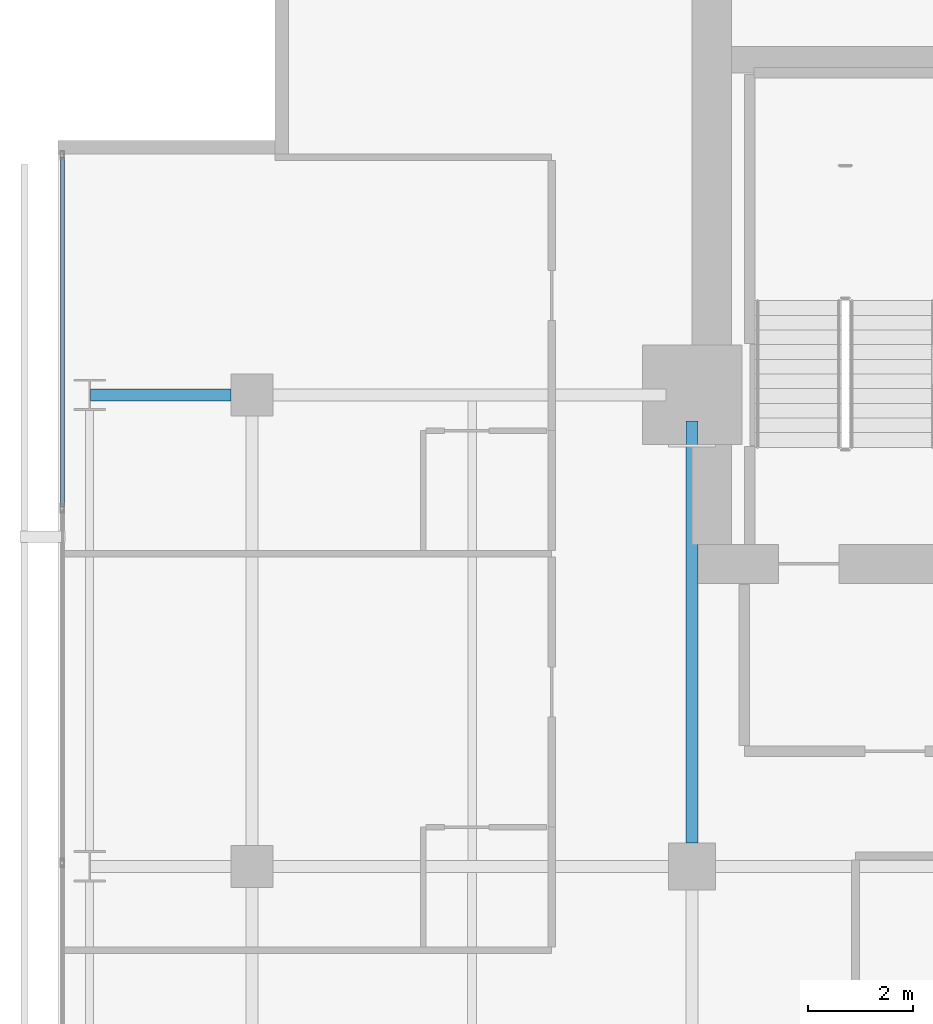
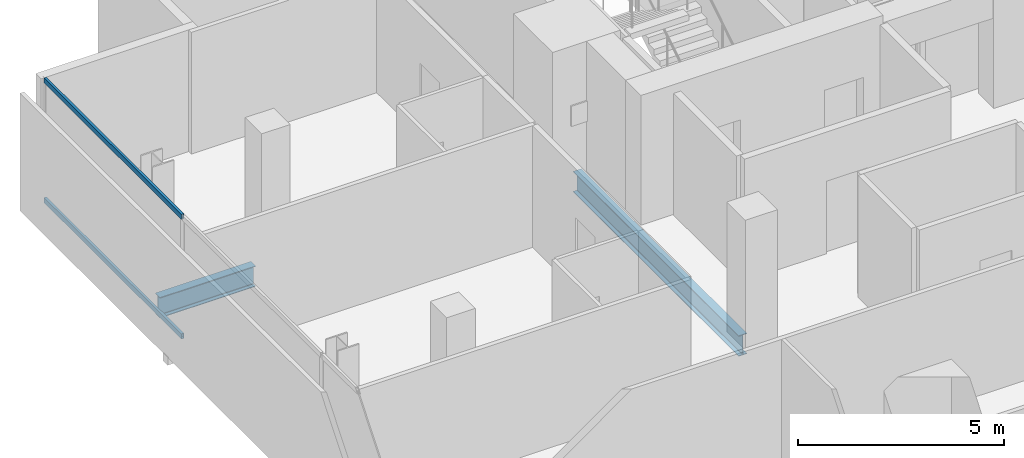
# One storey, part 19 of 34: 2 beams, 2 members, 1 element without a shape of its own.
"""IFC4 building model written with IfcOpenShell, lengths in metres."""

import ifcopenshell
import ifcopenshell.guid

model = None  # the IFC model being written
_history = None  # IfcOwnerHistory: only IFC2X3 demands one
_inside = {}  # id of a spatial element -> (the spatial element, [elements in it])
_under = {}  # id of a project, library or spatial element -> (it, [spatial elements below it])
_declared = {}  # id of a project -> (the project, [libraries it declares])
_typed = {}  # id of a type object -> (the type object, [elements of that type])
_made_of = {}  # id of a material, layer set ... -> (it, [elements and type objects made of it])


def new_model(schema):
    """Start an empty IFC model of exactly this schema.

    Asked for "IFC4X3", IfcOpenShell would pick the latest addendum, in which some entities
    have other attributes; the version numbers below select the first issue.
    IFC2X3 requires an IfcOwnerHistory on every rooted entity: one is made here for all.
    """
    global model, _history
    if schema == "IFC4X3":
        model = ifcopenshell.file(schema_version=(4, 3, 0, 0))
    else:
        model = ifcopenshell.file(schema=schema)
    _inside.clear()
    _under.clear()
    _declared.clear()
    _typed.clear()
    _made_of.clear()
    _history = None
    if model.schema == "IFC2X3":
        org = make("IfcOrganization", Name="unknown")
        user = make(
            "IfcPersonAndOrganization",
            ThePerson=make("IfcPerson", FamilyName="unknown"),
            TheOrganization=org,
        )
        app = make(
            "IfcApplication",
            ApplicationDeveloper=org,
            Version="unknown",
            ApplicationFullName="unknown",
            ApplicationIdentifier="unknown",
        )
        _history = make(
            "IfcOwnerHistory",
            OwningUser=user,
            OwningApplication=app,
            ChangeAction="ADDED",
            CreationDate=0,
        )
    return model


def make(cls, **values):
    """One entity of the class cls with the attributes given. An attribute that is None is left unset."""
    return model.create_entity(
        cls, **{name: value for name, value in values.items() if value is not None}
    )


def rooted(cls, **values):
    """An entity with a GlobalId (a new one), such as an element, a storey or a relation."""
    return make(cls, GlobalId=ifcopenshell.guid.new(), OwnerHistory=_history, **values)


def si_unit(unit_type, name, prefix=None):
    """IfcSIUnit, for example si_unit("LENGTHUNIT", "METRE", prefix="MILLI")."""
    return make("IfcSIUnit", UnitType=unit_type, Prefix=prefix, Name=name)


def assignment(units):
    """IfcUnitAssignment: the units of a project."""
    return None if units is None else make("IfcUnitAssignment", Units=units)


def point(xyz):
    """IfcCartesianPoint."""
    return None if xyz is None else make("IfcCartesianPoint", Coordinates=xyz)


def direction(xyz):
    """IfcDirection."""
    return None if xyz is None else make("IfcDirection", DirectionRatios=xyz)


def frame(location, z_axis=None, x_axis=None):
    """IfcAxis2Placement3D, a coordinate frame: its origin and axes. An axis left out is left unset."""
    return make(
        "IfcAxis2Placement3D",
        Location=point(location),
        Axis=direction(z_axis),
        RefDirection=direction(x_axis),
    )


def frame_2d(location, x_axis=None):
    """IfcAxis2Placement2D, a coordinate frame in the plane: its origin and x axis."""
    return make(
        "IfcAxis2Placement2D", Location=point(location), RefDirection=direction(x_axis)
    )


def origin():
    """The frame at (0, 0, 0) with its axes left unset."""
    return frame((0.0, 0.0, 0.0))


def origin_2d():
    """The frame at (0, 0) in the plane with its x axis left unset."""
    return frame_2d((0.0, 0.0))


def place(relative_to, where):
    """IfcLocalPlacement: puts the frame where relative to a parent placement (None: the world)."""
    return make(
        "IfcLocalPlacement", PlacementRelTo=relative_to, RelativePlacement=where
    )


def context(
    kind, dimensions, precision=None, world=None, true_north=None, identifier=None
):
    """IfcGeometricRepresentationContext, for example the 3D "Model" context."""
    return make(
        "IfcGeometricRepresentationContext",
        ContextIdentifier=identifier,
        ContextType=kind,
        CoordinateSpaceDimension=dimensions,
        Precision=precision,
        WorldCoordinateSystem=world,
        TrueNorth=true_north,
    )


def subcontext(parent, identifier, kind, view, scale=None):
    """IfcGeometricRepresentationSubContext, for example "Body" below "Model"."""
    return make(
        "IfcGeometricRepresentationSubContext",
        ContextIdentifier=identifier,
        ContextType=kind,
        ParentContext=parent,
        TargetScale=scale,
        TargetView=view,
    )


def project(units=None, contexts=None):
    """IfcProject with its units and contexts."""
    return rooted(
        "IfcProject",
        Name="project",
        RepresentationContexts=contexts,
        UnitsInContext=assignment(units),
    )


def spatial(cls, under=None, at=None, **own):
    """A site, building, storey or space (cls), placed at a placement, below another one or the project."""
    s = rooted(cls, ObjectPlacement=at, **own)
    if under is not None:
        _under.setdefault(under.id(), (under, []))[1].append(s)
    return s


def profile(cls, at=None, kind="AREA", **sizes):
    """A parametric profile (cls). Its sizes go by their IFC names, for example OverallWidth=200.0."""
    return make(cls, ProfileType=kind, Position=at, **sizes)


def hollow_rectangle(**sizes):
    """IfcRectangleHollowProfileDef."""
    return profile("IfcRectangleHollowProfileDef", **sizes)


def i_section(**sizes):
    """IfcIShapeProfileDef."""
    return profile("IfcIShapeProfileDef", **sizes)


def extrude(swept, where, along, depth):
    """IfcExtrudedAreaSolid: the profile swept, set in the frame where, extruded along a direction by depth."""
    return make(
        "IfcExtrudedAreaSolid",
        SweptArea=swept,
        Position=where,
        ExtrudedDirection=direction(along),
        Depth=depth,
    )


def shape(context_of_items, identifier, shape_type, items):
    """IfcShapeRepresentation: the items that make up one representation, for example the "Body"."""
    return make(
        "IfcShapeRepresentation",
        ContextOfItems=context_of_items,
        RepresentationIdentifier=identifier,
        RepresentationType=shape_type,
        Items=items,
    )


def material(Name=None, Category=None):
    """IfcMaterial."""
    return make("IfcMaterial", Name=Name, Category=Category)


def layer(
    of_material, thickness, ventilated=None, Name=None, Category=None, Priority=None
):
    """IfcMaterialLayer: one layer of a wall or slab, of a material (None: an air gap)."""
    return make(
        "IfcMaterialLayer",
        Material=of_material,
        LayerThickness=thickness,
        IsVentilated=ventilated,
        Name=Name,
        Category=Category,
        Priority=Priority,
    )


def layer_set(layers, Name=None):
    """IfcMaterialLayerSet."""
    return make("IfcMaterialLayerSet", MaterialLayers=layers, LayerSetName=Name)


def material_profile(
    of_material, cross_section, Name=None, Category=None, Priority=None
):
    """IfcMaterialProfile: a cross section and its material."""
    return make(
        "IfcMaterialProfile",
        Name=Name,
        Material=of_material,
        Profile=cross_section,
        Priority=Priority,
        Category=Category,
    )


def profile_set(profiles, Name=None, composite=None):
    """IfcMaterialProfileSet."""
    return make(
        "IfcMaterialProfileSet",
        Name=Name,
        MaterialProfiles=profiles,
        CompositeProfile=composite,
    )


def made_of(thing, what):
    """Note that an element or type object is made of a material, layer set ...; save() writes the relation."""
    if what is not None:
        _made_of.setdefault(what.id(), (what, []))[1].append(thing)
    return thing


def type_object(cls, material=None, **own):
    """A type object (cls), such as IfcWallType, which elements share."""
    return made_of(rooted(cls, **own), material)


def element(
    cls,
    number,
    at=None,
    inside=None,
    cuts=None,
    type_object=None,
    material=None,
    context=None,
    identifier="Body",
    shape_type=None,
    held_by="IfcProductDefinitionShape",
    body=None,
    shapes=None,
    **own,
):
    """One element of the class cls, such as IfcWall. Its Tag is "e" and its number.

    at: its placement. inside: the storey or other place that contains it. cuts: it is an
    opening in that element (IfcRelVoidsElement). A single representation is given by context,
    identifier, shape_type and body (its items); several are given by shapes. held_by: the class
    of the entity that holds the representations. save() writes the other relations.
    """
    e = rooted(cls, Tag="e%d" % number, ObjectPlacement=at, **own)
    if body is not None:
        shapes = [shape(context, identifier, shape_type, body)]
    if shapes is not None:
        e.Representation = make(held_by, Representations=shapes)
    if inside is not None:
        _inside.setdefault(inside.id(), (inside, []))[1].append(e)
    if cuts is not None:
        rooted(
            "IfcRelVoidsElement", RelatingBuildingElement=cuts, RelatedOpeningElement=e
        )
    if type_object is not None:
        _typed.setdefault(type_object.id(), (type_object, []))[1].append(e)
    return made_of(e, material)


def aggregate(whole, parts):
    """IfcRelAggregates: a whole, such as a stair, and the parts it consists of."""
    return rooted("IfcRelAggregates", RelatingObject=whole, RelatedObjects=parts)


def save(model, path):
    """Write the relations noted so far, then the file.

    IfcRelAggregates (storeys below a building ...), IfcRelContainedInSpatialStructure (elements
    in a storey), IfcRelDefinesByType, IfcRelAssociatesMaterial and IfcRelDeclares: one each for
    every whole, place, type object, material and project.
    """
    for whole, parts in _under.values():
        aggregate(whole, parts)
    for where, things in _inside.values():
        rooted(
            "IfcRelContainedInSpatialStructure",
            RelatedElements=things,
            RelatingStructure=where,
        )
    for kind, things in _typed.values():
        rooted("IfcRelDefinesByType", RelatedObjects=things, RelatingType=kind)
    for what, things in _made_of.values():
        rooted("IfcRelAssociatesMaterial", RelatedObjects=things, RelatingMaterial=what)
    for by, libraries in _declared.values():
        rooted("IfcRelDeclares", RelatingContext=by, RelatedDefinitions=libraries)
    model.write(path)


model = new_model("IFC4")

# Units and contexts
model_context = context("Model", 3, precision=1e-05, world=origin(), true_north=direction((0.0, 1.0)))
body_context = subcontext(model_context, "Body", "Model", "MODEL_VIEW")
ifc_project = project(units=[si_unit("LENGTHUNIT", "METRE"), si_unit("AREAUNIT", "SQUARE_METRE"), si_unit("VOLUMEUNIT", "CUBIC_METRE"), si_unit("PLANEANGLEUNIT", "RADIAN"), si_unit("MASSUNIT", "GRAM", prefix="KILO")], contexts=[model_context])

# Site, building, storey
site_placement = place(None, origin())
site = spatial("IfcSite", under=ifc_project, at=site_placement, CompositionType="ELEMENT")
building_placement = place(site_placement, origin())
building = spatial("IfcBuilding", under=site, at=building_placement, Name="Maruvema Waterfront Hotel and Observation Tower", CompositionType="ELEMENT")
storey_placement = place(building_placement, frame((0.0, 0.0, 131.25)))
storey = spatial("IfcBuildingStorey", under=building, at=storey_placement, Name="L31", CompositionType="ELEMENT", Elevation=131.25)

# Curtain wall, members
ifc_material_1 = material(Name="Anodised bronze aluminium and solar-control low-E IGU", Category="aluminium")
ifc_layer = layer(ifc_material_1, 0.159912109375, Name="Zone 2 Amber Inner Thermal Curtain Wall System CW-03")
ifc_layer_set = layer_set([ifc_layer], Name="Anodised bronze aluminium and solar-control low-E IGU")
curtain_wall_type = type_object("IfcCurtainWallType", Name="Zone 2 Amber Inner Thermal Curtain Wall System CW-03", PredefinedType="USERDEFINED", material=ifc_layer_set)
curtain_wall_placement = place(storey_placement, origin())
curtain_wall = element("IfcCurtainWall", 1, at=curtain_wall_placement, inside=storey, type_object=curtain_wall_type, Name="L31 Curtain Wall CW-L31-W", ObjectType="UNITISED CURTAIN WALL", PredefinedType="USERDEFINED")
ifc_material_2 = material(Name="Anodised architectural bronze aluminium", Category="aluminium")
ifc_material_profile_1 = material_profile(ifc_material_2, hollow_rectangle(XDim=0.070068359375, YDim=0.14990234375, WallThickness=0.00390625, at=origin_2d()), Name="ALU-T70x150")
ifc_profile_set_1 = profile_set([ifc_material_profile_1], Name="Anodised architectural bronze aluminium")
member_type = type_object("IfcMemberType", Name="Curtain Wall Horizontal Transom ALU-T70x150", PredefinedType="USERDEFINED", material=ifc_profile_set_1)
member_1_placement = place(storey_placement, frame((13.179931640625, 49.5400390625, 0.030029296875), z_axis=(0.0, -1.0, 0.0), x_axis=(1.0, 0.0, 0.0)))
member_1 = element("IfcMember", 2, at=member_1_placement, type_object=member_type, Name="CW-03 transom 1.1", ObjectType="TRANSOM", PredefinedType="USERDEFINED", context=body_context, shape_type="SweptSolid", body=[
    extrude(hollow_rectangle(XDim=0.070068359375, YDim=0.14990234375, WallThickness=0.00390625, at=origin_2d()), origin(), (0.0, 0.0, 1.0), 6.6767578125),
])
member_2_placement = place(storey_placement, frame((13.179931640625, 49.5400390625, 3.580078125), z_axis=(0.0, -1.0, 0.0), x_axis=(1.0, 0.0, 0.0)))
member_2 = element("IfcMember", 3, at=member_2_placement, type_object=member_type, Name="CW-03 transom 1.2", ObjectType="TRANSOM", PredefinedType="USERDEFINED", context=body_context, shape_type="SweptSolid", body=[
    extrude(hollow_rectangle(XDim=0.070068359375, YDim=0.14990234375, WallThickness=0.00390625, at=origin_2d()), origin(), (0.0, 0.0, 1.0), 6.6767578125),
])
aggregate(curtain_wall, [member_1, member_2])

# Beams
ifc_material_3 = material(Name="Steel ASTM A572 Grade 50", Category="steel")
ifc_material_profile_2 = material_profile(ifc_material_3, i_section(OverallWidth=0.22900390625, OverallDepth=0.612060546875, WebThickness=0.011962890625, FlangeThickness=0.01953125, FilletRadius=0.01806640625, at=origin_2d()), Name="W610x125.0")
ifc_profile_set_2 = profile_set([ifc_material_profile_2], Name="Steel ASTM A572 Grade 50")
beam_type = type_object("IfcBeamType", Name="Primary Floor Girder W610x125.0", PredefinedType="BEAM", material=ifc_profile_set_2)
beam_1_placement = place(storey_placement, frame((13.71240234375, 45.0, -0.5458984375), z_axis=(1.0, 0.0, 0.0), x_axis=(0.0, 1.0, 0.0)))
element("IfcBeam", 4, at=beam_1_placement, inside=storey, type_object=beam_type, Name="L31 Floor Girder EW-30", PredefinedType="BEAM", context=body_context, shape_type="SweptSolid", body=[
    extrude(i_section(OverallWidth=0.22900390625, OverallDepth=0.612060546875, WebThickness=0.011962890625, FlangeThickness=0.01953125, FilletRadius=0.01806640625, at=origin_2d()), origin(), (0.0, 0.0, 1.0), 2.6875),
])
beam_2_placement = place(storey_placement, frame((25.199951171875, 36.449951171875, -0.5458984375), z_axis=(0.0, 1.0, 0.0), x_axis=(-1.0, 0.0, 0.0)))
element("IfcBeam", 5, at=beam_2_placement, inside=storey, type_object=beam_type, Name="L31 Floor Girder NS-13", PredefinedType="BEAM", context=body_context, shape_type="SweptSolid", body=[
    extrude(i_section(OverallWidth=0.22900390625, OverallDepth=0.612060546875, WebThickness=0.011962890625, FlangeThickness=0.01953125, FilletRadius=0.01806640625, at=origin_2d()), origin(), (0.0, 0.0, 1.0), 8.050048828125),
])

save(model, "model.ifc")
